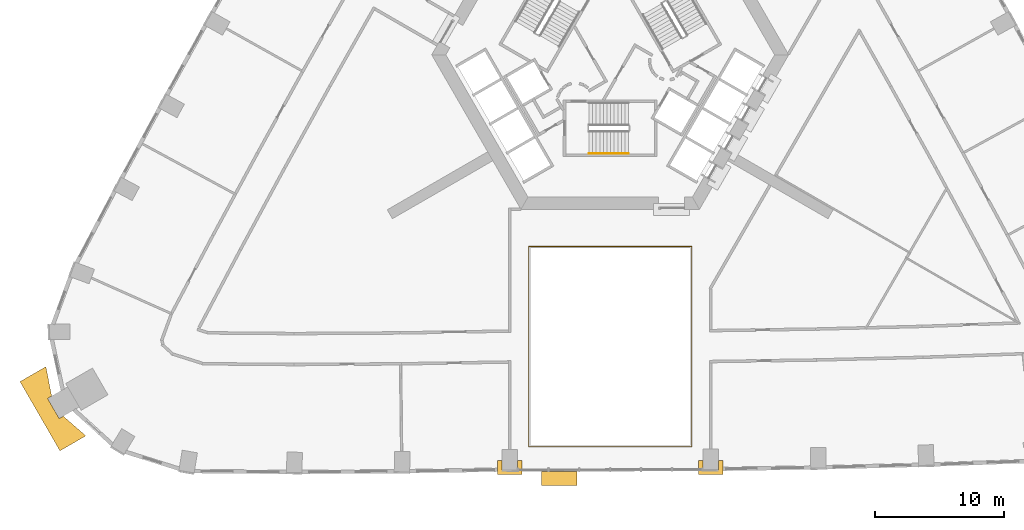
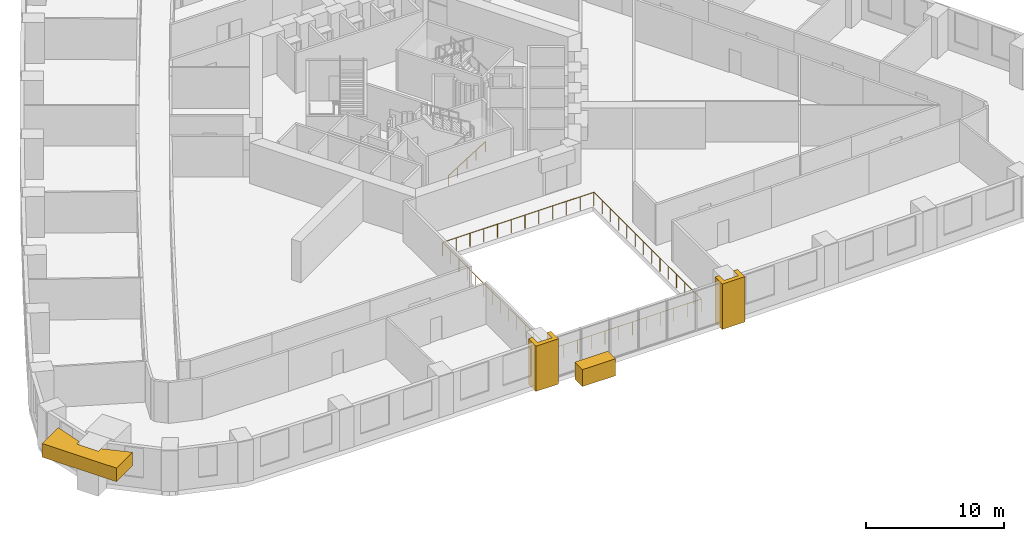
# One storey, part 13 of 15: 4 coverings, 2 railings.
"""IFC4 building model written with IfcOpenShell, lengths in metres."""

from ifc_helpers import new_model, si_unit, direction, frame, origin, origin_2d, place, context, subcontext, project, spatial, polyline, circle, outline, extrude, material, type_object, element, save


model = new_model("IFC4")

# Units and contexts
model_context = context("Model", 3, precision=1e-05, world=origin(), true_north=direction((0.0, 1.0)))
body_context = subcontext(model_context, "Body", "Model", "MODEL_VIEW")
ifc_project = project(units=[si_unit("LENGTHUNIT", "METRE"), si_unit("AREAUNIT", "SQUARE_METRE"), si_unit("VOLUMEUNIT", "CUBIC_METRE"), si_unit("PLANEANGLEUNIT", "RADIAN"), si_unit("MASSUNIT", "GRAM", prefix="KILO")], contexts=[model_context])

# Site, building, storey
site_placement = place(None, origin())
site = spatial("IfcSite", under=ifc_project, at=site_placement, CompositionType="ELEMENT")
building_placement = place(site_placement, origin())
building = spatial("IfcBuilding", under=site, at=building_placement, Name="Entoto Arch Interchange Tower", CompositionType="ELEMENT")
storey_placement = place(building_placement, frame((0.0, 0.0, 77.0)))
storey = spatial("IfcBuildingStorey", under=building, at=storey_placement, Name="L16", CompositionType="ELEMENT", Elevation=77.0)

# Railing
ifc_material_1 = material(Name="Stainless steel 1.4301", Category="steel")
railing_type_1 = type_object("IfcRailingType", Name="ATRIUM GUARD 1200 STEEL AND GLASS", PredefinedType="GUARDRAIL", material=ifc_material_1)
railing_1_placement = place(storey_placement, frame((6.320068359375, -27.931884765625, 0.0)))
element("IfcRailing", 1, at=railing_1_placement, inside=storey, type_object=railing_type_1, Name="Atrium guard L16", PredefinedType="GUARDRAIL", context=body_context, shape_type="SweptSolid", body=[
    extrude(circle(Radius=0.02392578125, at=origin_2d()), frame((0.0, 0.0, 1.17578125), z_axis=(-1.0, 0.0, 0.0), x_axis=(0.0, -1.0, 0.0)), (0.0, 0.0, 1.0), 12.64013671875),
    extrude(circle(Radius=0.02392578125, at=origin_2d()), frame((-12.64013671875, 0.0, 1.17578125), z_axis=(0.0, 1.0, 0.0), x_axis=(-1.0, 0.0, 0.0)), (0.0, 0.0, 1.0), 15.552001953125),
    extrude(circle(Radius=0.02392578125, at=origin_2d()), frame((-12.64013671875, 15.552001953125, 1.17578125), z_axis=(1.0, 0.0, 0.0), x_axis=(0.0, 1.0, 0.0)), (0.0, 0.0, 1.0), 12.64013671875),
    extrude(circle(Radius=0.02392578125, at=origin_2d()), frame((0.0, 15.552001953125, 1.17578125), z_axis=(0.0, -1.0, 0.0), x_axis=(1.0, 0.0, 0.0)), (0.0, 0.0, 1.0), 15.552001953125),
    extrude(circle(Radius=0.02099609375, at=origin_2d()), origin(), (0.0, 0.0, 1.0), 1.15185546875),
    extrude(circle(Radius=0.02099609375, at=origin_2d()), frame((-1.149169921875, 0.0, 0.0)), (0.0, 0.0, 1.0), 1.15185546875),
    extrude(circle(Radius=0.02099609375, at=origin_2d()), frame((-2.298095703125, 0.0, 0.0)), (0.0, 0.0, 1.0), 1.15185546875),
    extrude(circle(Radius=0.02099609375, at=origin_2d()), frame((-3.447265625, 0.0, 0.0)), (0.0, 0.0, 1.0), 1.15185546875),
    extrude(circle(Radius=0.02099609375, at=origin_2d()), frame((-4.596435546875, 0.0, 0.0)), (0.0, 0.0, 1.0), 1.15185546875),
    extrude(circle(Radius=0.02099609375, at=origin_2d()), frame((-5.74560546875, 0.0, 0.0)), (0.0, 0.0, 1.0), 1.15185546875),
    extrude(circle(Radius=0.02099609375, at=origin_2d()), frame((-6.89453125, 0.0, 0.0)), (0.0, 0.0, 1.0), 1.15185546875),
    extrude(circle(Radius=0.02099609375, at=origin_2d()), frame((-8.043701171875, 0.0, 0.0)), (0.0, 0.0, 1.0), 1.15185546875),
    extrude(circle(Radius=0.02099609375, at=origin_2d()), frame((-9.19287109375, 0.0, 0.0)), (0.0, 0.0, 1.0), 1.15185546875),
    extrude(circle(Radius=0.02099609375, at=origin_2d()), frame((-10.342041015625, 0.0, 0.0)), (0.0, 0.0, 1.0), 1.15185546875),
    extrude(circle(Radius=0.02099609375, at=origin_2d()), frame((-11.490966796875, 0.0, 0.0)), (0.0, 0.0, 1.0), 1.15185546875),
    extrude(circle(Radius=0.02099609375, at=origin_2d()), frame((-12.64013671875, 0.0, 0.0)), (0.0, 0.0, 1.0), 1.15185546875),
    extrude(circle(Radius=0.02099609375, at=origin_2d()), frame((-12.64013671875, 1.1962890625, 0.0)), (0.0, 0.0, 1.0), 1.15185546875),
    extrude(circle(Radius=0.02099609375, at=origin_2d()), frame((-12.64013671875, 2.392578125, 0.0)), (0.0, 0.0, 1.0), 1.15185546875),
    extrude(circle(Radius=0.02099609375, at=origin_2d()), frame((-12.64013671875, 3.5888671875, 0.0)), (0.0, 0.0, 1.0), 1.15185546875),
    extrude(circle(Radius=0.02099609375, at=origin_2d()), frame((-12.64013671875, 4.78515625, 0.0)), (0.0, 0.0, 1.0), 1.15185546875),
    extrude(circle(Radius=0.02099609375, at=origin_2d()), frame((-12.64013671875, 5.9814453125, 0.0)), (0.0, 0.0, 1.0), 1.15185546875),
    extrude(circle(Radius=0.02099609375, at=origin_2d()), frame((-12.64013671875, 7.177734375, 0.0)), (0.0, 0.0, 1.0), 1.15185546875),
    extrude(circle(Radius=0.02099609375, at=origin_2d()), frame((-12.64013671875, 8.374267578125, 0.0)), (0.0, 0.0, 1.0), 1.15185546875),
    extrude(circle(Radius=0.02099609375, at=origin_2d()), frame((-12.64013671875, 9.570556640625, 0.0)), (0.0, 0.0, 1.0), 1.15185546875),
    extrude(circle(Radius=0.02099609375, at=origin_2d()), frame((-12.64013671875, 10.766845703125, 0.0)), (0.0, 0.0, 1.0), 1.15185546875),
    extrude(circle(Radius=0.02099609375, at=origin_2d()), frame((-12.64013671875, 11.963134765625, 0.0)), (0.0, 0.0, 1.0), 1.15185546875),
    extrude(circle(Radius=0.02099609375, at=origin_2d()), frame((-12.64013671875, 13.159423828125, 0.0)), (0.0, 0.0, 1.0), 1.15185546875),
    extrude(circle(Radius=0.02099609375, at=origin_2d()), frame((-12.64013671875, 14.355712890625, 0.0)), (0.0, 0.0, 1.0), 1.15185546875),
    extrude(circle(Radius=0.02099609375, at=origin_2d()), frame((-12.64013671875, 15.552001953125, 0.0)), (0.0, 0.0, 1.0), 1.15185546875),
    extrude(circle(Radius=0.02099609375, at=origin_2d()), frame((-11.490966796875, 15.552001953125, 0.0)), (0.0, 0.0, 1.0), 1.15185546875),
    extrude(circle(Radius=0.02099609375, at=origin_2d()), frame((-10.342041015625, 15.552001953125, 0.0)), (0.0, 0.0, 1.0), 1.15185546875),
    extrude(circle(Radius=0.02099609375, at=origin_2d()), frame((-9.19287109375, 15.552001953125, 0.0)), (0.0, 0.0, 1.0), 1.15185546875),
    extrude(circle(Radius=0.02099609375, at=origin_2d()), frame((-8.043701171875, 15.552001953125, 0.0)), (0.0, 0.0, 1.0), 1.15185546875),
    extrude(circle(Radius=0.02099609375, at=origin_2d()), frame((-6.89453125, 15.552001953125, 0.0)), (0.0, 0.0, 1.0), 1.15185546875),
    extrude(circle(Radius=0.02099609375, at=origin_2d()), frame((-5.74560546875, 15.552001953125, 0.0)), (0.0, 0.0, 1.0), 1.15185546875),
    extrude(circle(Radius=0.02099609375, at=origin_2d()), frame((-4.596435546875, 15.552001953125, 0.0)), (0.0, 0.0, 1.0), 1.15185546875),
    extrude(circle(Radius=0.02099609375, at=origin_2d()), frame((-3.447265625, 15.552001953125, 0.0)), (0.0, 0.0, 1.0), 1.15185546875),
    extrude(circle(Radius=0.02099609375, at=origin_2d()), frame((-2.298095703125, 15.552001953125, 0.0)), (0.0, 0.0, 1.0), 1.15185546875),
    extrude(circle(Radius=0.02099609375, at=origin_2d()), frame((-1.149169921875, 15.552001953125, 0.0)), (0.0, 0.0, 1.0), 1.15185546875),
    extrude(circle(Radius=0.02099609375, at=origin_2d()), frame((0.0, 15.552001953125, 0.0)), (0.0, 0.0, 1.0), 1.15185546875),
    extrude(circle(Radius=0.02099609375, at=origin_2d()), frame((0.0, 14.355712890625, 0.0)), (0.0, 0.0, 1.0), 1.15185546875),
    extrude(circle(Radius=0.02099609375, at=origin_2d()), frame((0.0, 13.159423828125, 0.0)), (0.0, 0.0, 1.0), 1.15185546875),
    extrude(circle(Radius=0.02099609375, at=origin_2d()), frame((0.0, 11.963134765625, 0.0)), (0.0, 0.0, 1.0), 1.15185546875),
    extrude(circle(Radius=0.02099609375, at=origin_2d()), frame((0.0, 10.766845703125, 0.0)), (0.0, 0.0, 1.0), 1.15185546875),
    extrude(circle(Radius=0.02099609375, at=origin_2d()), frame((0.0, 9.570556640625, 0.0)), (0.0, 0.0, 1.0), 1.15185546875),
    extrude(circle(Radius=0.02099609375, at=origin_2d()), frame((0.0, 8.374267578125, 0.0)), (0.0, 0.0, 1.0), 1.15185546875),
    extrude(circle(Radius=0.02099609375, at=origin_2d()), frame((0.0, 7.177734375, 0.0)), (0.0, 0.0, 1.0), 1.15185546875),
    extrude(circle(Radius=0.02099609375, at=origin_2d()), frame((0.0, 5.9814453125, 0.0)), (0.0, 0.0, 1.0), 1.15185546875),
    extrude(circle(Radius=0.02099609375, at=origin_2d()), frame((0.0, 4.78515625, 0.0)), (0.0, 0.0, 1.0), 1.15185546875),
    extrude(circle(Radius=0.02099609375, at=origin_2d()), frame((0.0, 3.5888671875, 0.0)), (0.0, 0.0, 1.0), 1.15185546875),
    extrude(circle(Radius=0.02099609375, at=origin_2d()), frame((0.0, 2.392578125, 0.0)), (0.0, 0.0, 1.0), 1.15185546875),
    extrude(circle(Radius=0.02099609375, at=origin_2d()), frame((0.0, 1.1962890625, 0.0)), (0.0, 0.0, 1.0), 1.15185546875),
])

# Coverings
ifc_material_2 = material(Name="Board-marked precast concrete C50/60", Category="concrete")
covering_type = type_object("IfcCoveringType", Name="PRECAST FRAME COURSE", PredefinedType="CLADDING", material=ifc_material_2)
covering_1_placement = place(storey_placement, frame((0.0, 0.0, 2.39990234375)))
element("IfcCovering", 2, at=covering_1_placement, inside=storey, type_object=covering_type, Name="Corner pilaster head SW L15-L16", PredefinedType="CLADDING", context=body_context, shape_type="SweptSolid", body=[
    extrude(outline(polyline([(-42.7109375, -28.239013671875), (-45.81103515625, -22.868896484375), (-43.800048828125, -21.708984375), (-43.35498046875, -23.991943359375), (-43.6708984375, -24.175048828125), (-42.77099609375, -25.73291015625), (-42.455078125, -25.551025390625), (-40.699951171875, -27.077880859375), (-42.7109375, -28.239013671875)])), origin(), (0.0, 0.0, 1.0), 1.2001953125),
])
covering_2_placement = place(storey_placement, frame((0.0, 0.0, -0.39990234375)))
element("IfcCovering", 3, at=covering_2_placement, inside=storey, type_object=covering_type, Name="Gate pier L16", PredefinedType="CLADDING", context=body_context, shape_type="SweptSolid", body=[
    extrude(outline(polyline([(-8.742919921875, -29.0009765625), (-8.39306640625, -29.0009765625), (-8.39306640625, -29.74609375), (-7.193115234375, -29.74609375), (-7.193115234375, -29.0009765625), (-6.843017578125, -29.0009765625), (-6.843017578125, -30.095947265625), (-8.742919921875, -30.095947265625), (-8.742919921875, -29.0009765625)])), origin(), (0.0, 0.0, 1.0), 4.0),
])
covering_3_placement = place(storey_placement, frame((0.0, 0.0, -0.39990234375)))
element("IfcCovering", 4, at=covering_3_placement, inside=storey, type_object=covering_type, Name="Gate pier L16", PredefinedType="CLADDING", context=body_context, shape_type="SweptSolid", body=[
    extrude(outline(polyline([(6.843017578125, -29.0009765625), (7.193115234375, -29.0009765625), (7.193115234375, -29.7119140625), (8.39306640625, -29.7119140625), (8.39306640625, -29.0009765625), (8.742919921875, -29.0009765625), (8.742919921875, -30.06201171875), (6.843017578125, -30.06201171875), (6.843017578125, -29.0009765625)])), origin(), (0.0, 0.0, 1.0), 4.0),
])
covering_4_placement = place(storey_placement, frame((0.0, 0.0, -0.64990234375)))
element("IfcCovering", 5, at=covering_4_placement, inside=storey, type_object=covering_type, Name="Fold crease ribbon L16", PredefinedType="CLADDING", context=body_context, shape_type="SweptSolid", body=[
    extrude(outline(polyline([(-5.343017578125, -30.94091796875), (-5.343017578125, -29.841064453125), (-2.572021484375, -29.8349609375), (-2.572021484375, -30.93603515625), (-5.343017578125, -30.94091796875)])), origin(), (0.0, 0.0, 1.0), 1.5),
])

# Railing
railing_type_2 = type_object("IfcRailingType", Name="STAIR HANDRAIL 900 STEEL", PredefinedType="HANDRAIL", material=ifc_material_1)
railing_2_placement = place(storey_placement, frame((-1.64990234375, -5.14990234375, 0.175048828125)))
element("IfcRailing", 6, at=railing_2_placement, inside=storey, type_object=railing_type_2, Name="L16 ST-S stair handrail 1", PredefinedType="HANDRAIL", context=body_context, shape_type="SweptSolid", body=[
    extrude(circle(Radius=0.02392578125, at=origin_2d()), frame((0.0, 0.0, 0.8759765625), z_axis=(0.847979421464, 0.0, 0.530029150871), x_axis=(0.0, 1.0, 0.0)), (0.0, 0.0, 1.0), 3.632080078125),
    extrude(circle(Radius=0.02099609375, at=origin_2d()), origin(), (0.0, 0.0, 1.0), 0.851806640625),
    extrude(circle(Radius=0.02099609375, at=origin_2d()), frame((0.77001953125, 0.0, 0.481201171875)), (0.0, 0.0, 1.0), 0.851806640625),
    extrude(circle(Radius=0.02099609375, at=origin_2d()), frame((1.5400390625, 0.0, 0.96240234375)), (0.0, 0.0, 1.0), 0.851806640625),
    extrude(circle(Radius=0.02099609375, at=origin_2d()), frame((2.309814453125, 0.0, 1.44384765625)), (0.0, 0.0, 1.0), 0.851806640625),
    extrude(circle(Radius=0.02099609375, at=origin_2d()), frame((3.079833984375, 0.0, 1.925048828125)), (0.0, 0.0, 1.0), 0.851806640625),
])

save(model, "model.ifc")
